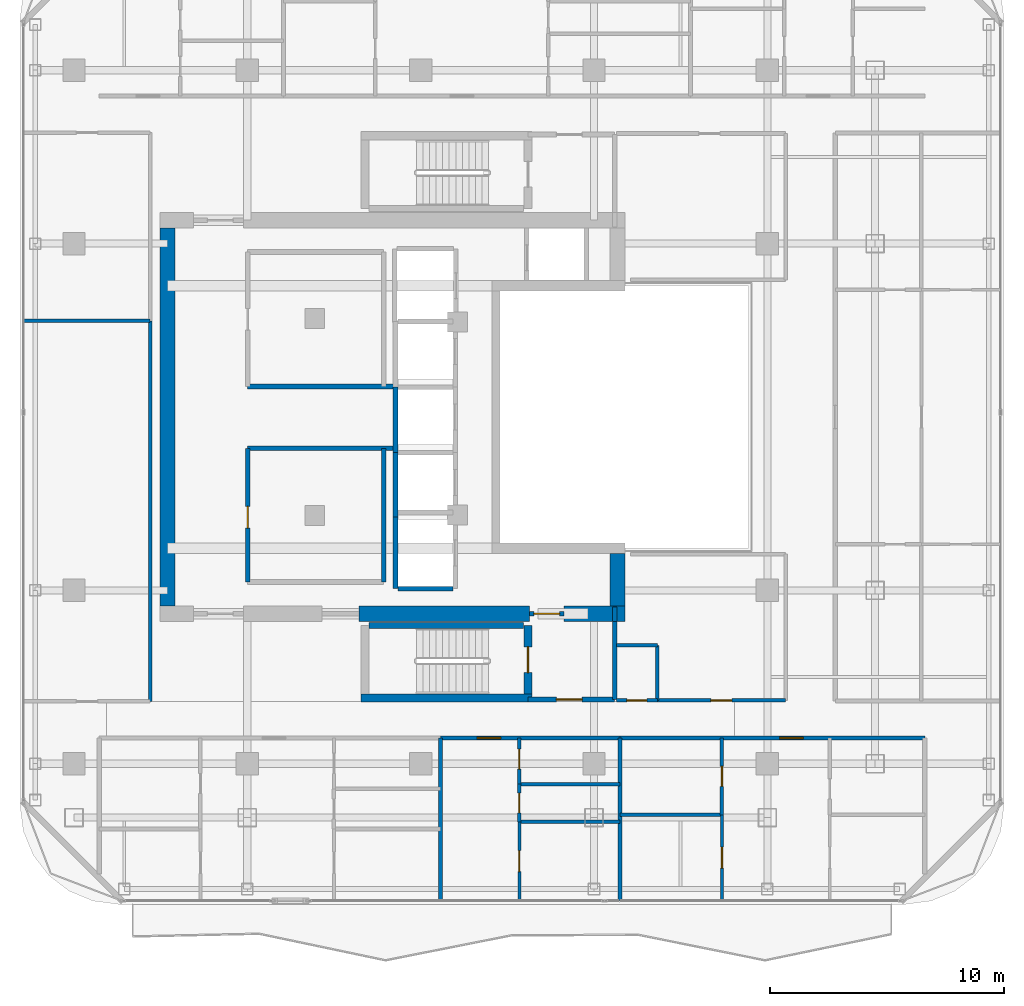
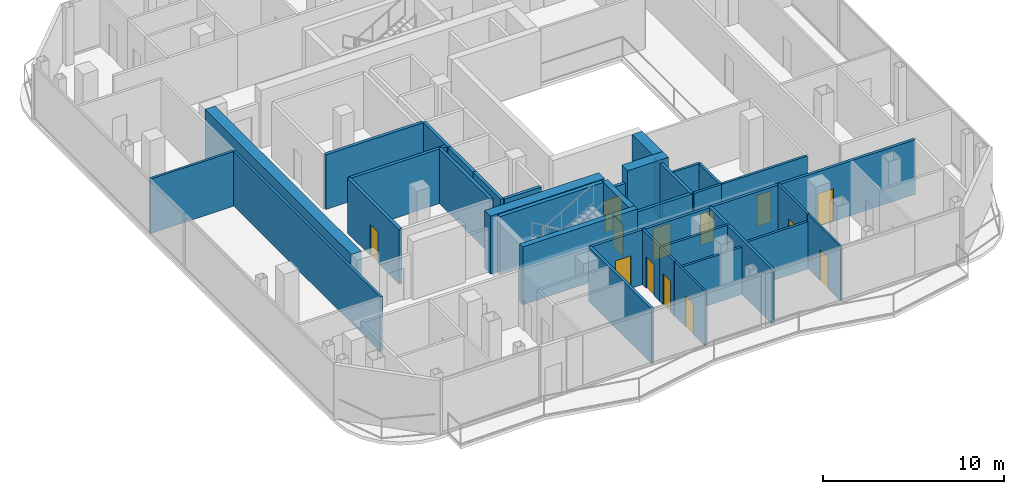
# One storey, part 17 of 23: 37 walls, 13 doors, 13 openings.
"""IFC4 building model written with IfcOpenShell, lengths in metres."""

from ifc_helpers import new_model, si_unit, direction, frame, frame_2d, origin, place, context, subcontext, project, spatial, rectangle, extrude, material, layer, layer_set, type_object, element, fill, save


model = new_model("IFC4")

# Units and contexts
model_context = context("Model", 3, precision=1e-05, world=origin(), true_north=direction((0.0, 1.0)))
body_context = subcontext(model_context, "Body", "Model", "MODEL_VIEW")
ifc_project = project(units=[si_unit("LENGTHUNIT", "METRE"), si_unit("AREAUNIT", "SQUARE_METRE"), si_unit("VOLUMEUNIT", "CUBIC_METRE"), si_unit("PLANEANGLEUNIT", "RADIAN"), si_unit("MASSUNIT", "GRAM", prefix="KILO")], contexts=[model_context])

# Site, building, storey
site_placement = place(None, origin())
site = spatial("IfcSite", under=ifc_project, at=site_placement, CompositionType="ELEMENT")
building_placement = place(site_placement, origin())
building = spatial("IfcBuilding", under=site, at=building_placement, Name="Khorvyn Point Tower", CompositionType="ELEMENT")
storey_placement = place(building_placement, frame((0.0, 0.0, 274.199951171875)))
storey = spatial("IfcBuildingStorey", under=building, at=storey_placement, Name="L67", CompositionType="ELEMENT", Elevation=274.199951171875)

# Wall, opening, door
ifc_material_1 = material(Name="Double acoustic gypsum on twin steel stud", Category="steel")
ifc_layer_1 = layer(ifc_material_1, 0.179931640625)
ifc_layer_set_1 = layer_set([ifc_layer_1], Name="Acoustic Double-Stud Apartment Demising Wall 180")
wall_type_1 = type_object("IfcWallType", Name="Acoustic Double-Stud Apartment Demising Wall 180", PredefinedType="PARTITIONING", material=ifc_layer_set_1)
wall_1_placement = place(storey_placement, frame((0.845947265625, -13.699951171875, 0.0), z_axis=(0.0, 0.0, 1.0), x_axis=(1.0, 0.0, 0.0)))
wall_1 = element("IfcWall", 1, at=wall_1_placement, inside=storey, type_object=wall_type_1, Name="Wall", PredefinedType="PARTITIONING", context=body_context, shape_type="SweptSolid", body=[
    extrude(rectangle(XDim=7.658935546875, YDim=0.179931640625, at=frame_2d((3.82958984375, 0.0))), origin(), (0.0, 0.0, 1.0), 3.679931640625),
])
opening_1_placement = place(wall_1_placement, frame((1.568603515625, 0.0, 0.0)))
opening_1 = element("IfcOpeningElement", 2, at=opening_1_placement, cuts=wall_1, Name="Opening ID-AP60", PredefinedType="OPENING", context=body_context, shape_type="SweptSolid", body=[
    extrude(rectangle(XDim=1.0, YDim=2.199951171875, at=frame_2d((0.5, 1.10009765625))), frame((0.0, 0.099853515625, 0.0), z_axis=(0.0, -1.0, 0.0), x_axis=(1.0, 0.0, 0.0)), (0.0, 0.0, 1.0), 0.199951171875),
])
ifc_material_2 = material(Name="Engineered hardwood fire-rated leaf", Category="wood")
door_type_1 = type_object("IfcDoorType", Name="Acoustic Solid-Core Timber Apartment Entrance Door 1000x2200", OperationType="NOTDEFINED", PredefinedType="DOOR", material=ifc_material_2)
door_1_placement = place(opening_1_placement, origin())
door_1 = element("IfcDoor", 3, at=door_1_placement, inside=storey, type_object=door_type_1, Name="Door", OperationType="SINGLE_SWING_RIGHT", OverallHeight=2.199951171875, OverallWidth=1.0, PredefinedType="DOOR", context=body_context, shape_type="SweptSolid", body=[
    extrude(rectangle(XDim=1.0, YDim=2.199951171875, at=frame_2d((0.5, 1.10009765625))), frame((0.0, 0.02490234375, 0.0), z_axis=(0.0, -1.0, 0.0), x_axis=(1.0, 0.0, 0.0)), (0.0, 0.0, 1.0), 0.050048828125),
])
fill(opening_1, door_1)

wall_2_placement = place(storey_placement, frame((8.5048828125, -13.699951171875, 0.0), z_axis=(0.0, 0.0, 1.0), x_axis=(1.0, 0.0, 0.0)))
wall_2 = element("IfcWall", 4, at=wall_2_placement, inside=storey, type_object=wall_type_1, Name="Wall", PredefinedType="PARTITIONING", context=body_context, shape_type="SweptSolid", body=[
    extrude(rectangle(XDim=13.01513671875, YDim=0.179931640625, at=frame_2d((6.507568359375, 0.0))), origin(), (0.0, 0.0, 1.0), 3.679931640625),
])
opening_2_placement = place(wall_2_placement, frame((6.817138671875, 0.0, 0.0)))
opening_2 = element("IfcOpeningElement", 5, at=opening_2_placement, cuts=wall_2, Name="Opening ID-AP60", PredefinedType="OPENING", context=body_context, shape_type="SweptSolid", body=[
    extrude(rectangle(XDim=1.0, YDim=2.199951171875, at=frame_2d((0.5, 1.10009765625))), frame((0.0, 0.099853515625, 0.0), z_axis=(0.0, -1.0, 0.0), x_axis=(1.0, 0.0, 0.0)), (0.0, 0.0, 1.0), 0.199951171875),
])
door_2_placement = place(opening_2_placement, origin())
door_2 = element("IfcDoor", 6, at=door_2_placement, inside=storey, type_object=door_type_1, Name="Door", OperationType="SINGLE_SWING_RIGHT", OverallHeight=2.199951171875, OverallWidth=1.0, PredefinedType="DOOR", context=body_context, shape_type="SweptSolid", body=[
    extrude(rectangle(XDim=1.0, YDim=2.199951171875, at=frame_2d((0.5, 1.10009765625))), frame((0.0, 0.02490234375, 0.0), z_axis=(0.0, -1.0, 0.0), x_axis=(1.0, 0.0, 0.0)), (0.0, 0.0, 1.0), 0.050048828125),
])
fill(opening_2, door_2)

# Walls
for number, where, z_axis, x_axis, name in (
    (7, (0.845947265625, -20.6298828125, 0.0), (0.0, 0.0, 1.0), (0.0, 1.0, 0.0), "Wall"),
    (8, (8.5048828125, -20.6298828125, 0.0), (0.0, 0.0, 1.0), (0.0, 1.0, 0.0), "Wall"),
):
    element("IfcWall", number, at=place(storey_placement, frame(where, z_axis=z_axis, x_axis=x_axis)), inside=storey, type_object=wall_type_1, Name=name, PredefinedType="PARTITIONING", context=body_context, shape_type="SweptSolid", body=[
        extrude(rectangle(XDim=6.929931640625, YDim=0.179931640625, at=frame_2d((3.46484375, 0.0))), origin(), (0.0, 0.0, 1.0), 3.679931640625),
    ])
ifc_material_3 = material(Name="Concrete C40/50", Category="concrete")
ifc_layer_2 = layer(ifc_material_3, 0.64990234375)
ifc_layer_set_2 = layer_set([ifc_layer_2], Name="Concrete C40/50 Core Shear Wall 650")
wall_type_2 = type_object("IfcWallType", Name="Concrete C40/50 Core Shear Wall 650", PredefinedType="SHEAR", material=ifc_layer_set_2)
wall_3_placement = place(storey_placement, frame((-2.6201171875, -8.39990234375, 0.0), z_axis=(0.0, 0.0, 1.0), x_axis=(1.0, 0.0, 0.0)))
element("IfcWall", 9, at=wall_3_placement, inside=storey, type_object=wall_type_2, Name="Wall", PredefinedType="SHEAR", context=body_context, shape_type="SweptSolid", body=[
    extrude(rectangle(XDim=7.27001953125, YDim=0.64990234375, at=frame_2d((3.635009765625, 0.0))), origin(), (0.0, 0.0, 1.0), 3.900146484375),
])
wall_4_placement = place(storey_placement, frame((6.1201171875, -8.39990234375, 0.0), z_axis=(0.0, 0.0, 1.0), x_axis=(1.0, 0.0, 0.0)))
element("IfcWall", 10, at=wall_4_placement, inside=storey, type_object=wall_type_2, Name="Wall", PredefinedType="SHEAR", context=body_context, shape_type="SweptSolid", body=[
    extrude(rectangle(XDim=2.60498046875, YDim=0.64990234375, at=frame_2d((1.302490234375, 0.0))), origin(), (0.0, 0.0, 1.0), 3.900146484375),
])
wall_5_placement = place(storey_placement, frame((-10.800048828125, -8.074951171875, 0.0), z_axis=(0.0, 0.0, 1.0), x_axis=(0.0, 1.0, 0.0)))
element("IfcWall", 11, at=wall_5_placement, inside=storey, type_object=wall_type_2, Name="Wall", PredefinedType="SHEAR", context=body_context, shape_type="SweptSolid", body=[
    extrude(rectangle(XDim=16.14990234375, YDim=0.64990234375, at=frame_2d((8.074951171875, 0.0))), origin(), (0.0, 0.0, 1.0), 3.900146484375),
])
wall_6_placement = place(storey_placement, frame((8.39990234375, -8.074951171875, 0.0), z_axis=(0.0, 0.0, 1.0), x_axis=(0.0, 1.0, 0.0)))
element("IfcWall", 12, at=wall_6_placement, inside=storey, type_object=wall_type_2, Name="Wall", PredefinedType="SHEAR", context=body_context, shape_type="SweptSolid", body=[
    extrude(rectangle(XDim=2.25, YDim=0.64990234375, at=frame_2d((1.125, 0.0))), origin(), (0.0, 0.0, 1.0), 3.900146484375),
])

# Wall, opening, door
ifc_layer_3 = layer(ifc_material_3, 0.199951171875)
ifc_layer_set_3 = layer_set([ifc_layer_3], Name="Concrete C40/50 Fire-Lobby Compartment Wall 200")
wall_type_3 = type_object("IfcWallType", Name="Concrete C40/50 Fire-Lobby Compartment Wall 200", PredefinedType="SOLIDWALL", material=ifc_layer_set_3)
wall_7_placement = place(storey_placement, frame((4.580078125, -12.06005859375, 0.0), z_axis=(0.0, 0.0, 1.0), x_axis=(1.0, 0.0, 0.0)))
wall_7 = element("IfcWall", 13, at=wall_7_placement, inside=storey, type_object=wall_type_3, Name="Wall", PredefinedType="SOLIDWALL", context=body_context, shape_type="SweptSolid", body=[
    extrude(rectangle(XDim=3.699951171875, YDim=0.199951171875, at=frame_2d((1.85009765625, 0.0))), origin(), (0.0, 0.0, 1.0), 3.679931640625),
])
opening_3_placement = place(wall_7_placement, frame((1.21240234375, 0.0, 0.0)))
opening_3 = element("IfcOpeningElement", 14, at=opening_3_placement, cuts=wall_7, Name="Opening ID-FL90", PredefinedType="OPENING", context=body_context, shape_type="SweptSolid", body=[
    extrude(rectangle(XDim=1.10009765625, YDim=2.14990234375, at=frame_2d((0.550048828125, 1.074951171875))), frame((0.0, 0.10986328125, 0.0), z_axis=(0.0, -1.0, 0.0), x_axis=(1.0, 0.0, 0.0)), (0.0, 0.0, 1.0), 0.219970703125),
])
ifc_material_4 = material(Name="Galvanised powder-coated steel", Category="steel")
door_type_2 = type_object("IfcDoorType", Name="Fire-Rated Steel Lobby and Stair Door 1100x2150", OperationType="NOTDEFINED", PredefinedType="DOOR", material=ifc_material_4)
door_3_placement = place(opening_3_placement, origin())
door_3 = element("IfcDoor", 15, at=door_3_placement, inside=storey, type_object=door_type_2, Name="Door", OperationType="SINGLE_SWING_LEFT", OverallHeight=2.14990234375, OverallWidth=1.10009765625, PredefinedType="DOOR", context=body_context, shape_type="SweptSolid", body=[
    extrude(rectangle(XDim=1.10009765625, YDim=2.14990234375, at=frame_2d((0.550048828125, 1.074951171875))), frame((0.0, 0.02490234375, 0.0), z_axis=(0.0, -1.0, 0.0), x_axis=(1.0, 0.0, 0.0)), (0.0, 0.0, 1.0), 0.050048828125),
])
fill(opening_3, door_3)

wall_8_placement = place(storey_placement, frame((4.64990234375, -8.39990234375, 0.0), z_axis=(0.0, 0.0, 1.0), x_axis=(1.0, 0.0, 0.0)))
wall_8 = element("IfcWall", 16, at=wall_8_placement, inside=storey, type_object=wall_type_3, Name="Wall", PredefinedType="SOLIDWALL", context=body_context, shape_type="SweptSolid", body=[
    extrude(rectangle(XDim=1.47021484375, YDim=0.199951171875, at=frame_2d((0.735107421875, 0.0))), origin(), (0.0, 0.0, 1.0), 2.920166015625),
])
opening_4_placement = place(wall_8_placement, frame((0.18505859375, 0.0, 0.0)))
opening_4 = element("IfcOpeningElement", 17, at=opening_4_placement, cuts=wall_8, Name="Opening ID-FL90", PredefinedType="OPENING", context=body_context, shape_type="SweptSolid", body=[
    extrude(rectangle(XDim=1.10009765625, YDim=2.14990234375, at=frame_2d((0.550048828125, 1.074951171875))), frame((0.0, 0.10986328125, 0.0), z_axis=(0.0, -1.0, 0.0), x_axis=(1.0, 0.0, 0.0)), (0.0, 0.0, 1.0), 0.219970703125),
])
door_4_placement = place(opening_4_placement, origin())
door_4 = element("IfcDoor", 18, at=door_4_placement, inside=storey, type_object=door_type_2, Name="Door", OperationType="SINGLE_SWING_RIGHT", OverallHeight=2.14990234375, OverallWidth=1.10009765625, PredefinedType="DOOR", context=body_context, shape_type="SweptSolid", body=[
    extrude(rectangle(XDim=1.10009765625, YDim=2.14990234375, at=frame_2d((0.550048828125, 1.074951171875))), frame((0.0, 0.02490234375, 0.0), z_axis=(0.0, -1.0, 0.0), x_axis=(1.0, 0.0, 0.0)), (0.0, 0.0, 1.0), 0.050048828125),
])
fill(opening_4, door_4)

wall_9_placement = place(storey_placement, frame((-7.3798828125, -7.0400390625, 0.0), z_axis=(0.0, 0.0, 1.0), x_axis=(0.0, 1.0, 0.0)))
wall_9 = element("IfcWall", 19, at=wall_9_placement, inside=storey, type_object=wall_type_3, Name="Wall", PredefinedType="SOLIDWALL", context=body_context, shape_type="SweptSolid", body=[
    extrude(rectangle(XDim=5.699951171875, YDim=0.199951171875, at=frame_2d((2.85009765625, 0.0))), origin(), (0.0, 0.0, 1.0), 3.679931640625),
])
opening_5_placement = place(wall_9_placement, frame((2.30078125, 0.0, 0.0)))
opening_5 = element("IfcOpeningElement", 20, at=opening_5_placement, cuts=wall_9, Name="Opening ID-RS60", PredefinedType="OPENING", context=body_context, shape_type="SweptSolid", body=[
    extrude(rectangle(XDim=0.919921875, YDim=2.10009765625, at=frame_2d((0.4599609375, 1.050048828125))), frame((0.0, 0.10986328125, 0.0), z_axis=(0.0, -1.0, 0.0), x_axis=(1.0, 0.0, 0.0)), (0.0, 0.0, 1.0), 0.219970703125),
])
door_type_3 = type_object("IfcDoorType", Name="Fire-Rated Riser and Store Steel Door 920x2100", OperationType="NOTDEFINED", PredefinedType="DOOR", material=ifc_material_4)
door_5_placement = place(opening_5_placement, origin())
door_5 = element("IfcDoor", 21, at=door_5_placement, inside=storey, type_object=door_type_3, Name="Door", OperationType="SINGLE_SWING_RIGHT", OverallHeight=2.10009765625, OverallWidth=0.919921875, PredefinedType="DOOR", context=body_context, shape_type="SweptSolid", body=[
    extrude(rectangle(XDim=0.919921875, YDim=2.10009765625, at=frame_2d((0.4599609375, 1.050048828125))), frame((0.0, 0.02490234375, 0.0), z_axis=(0.0, -1.0, 0.0), x_axis=(1.0, 0.0, 0.0)), (0.0, 0.0, 1.0), 0.050048828125),
])
fill(opening_5, door_5)

# Walls
wall_10_placement = place(storey_placement, frame((8.280029296875, -12.06005859375, 0.0), z_axis=(0.0, 0.0, 1.0), x_axis=(0.0, 1.0, 0.0)))
element("IfcWall", 22, at=wall_10_placement, inside=storey, type_object=wall_type_3, Name="Wall", PredefinedType="SOLIDWALL", context=body_context, shape_type="SweptSolid", body=[
    extrude(rectangle(XDim=3.3349609375, YDim=0.199951171875, at=frame_2d((1.66748046875, 0.0))), origin(), (0.0, 0.0, 1.0), 3.679931640625),
])
for number, where, z_axis, x_axis, name in (
    (23, (-7.3798828125, -1.340087890625, 0.0), (0.0, 0.0, 1.0), (1.0, 0.0, 0.0), "Wall"),
    (24, (-7.3798828125, 1.300048828125, 0.0), (0.0, 0.0, 1.0), (1.0, 0.0, 0.0), "Wall"),
):
    element("IfcWall", number, at=place(storey_placement, frame(where, z_axis=z_axis, x_axis=x_axis)), inside=storey, type_object=wall_type_3, Name=name, PredefinedType="SOLIDWALL", context=body_context, shape_type="SweptSolid", body=[
        extrude(rectangle(XDim=6.239990234375, YDim=0.199951171875, at=frame_2d((3.1201171875, 0.0))), origin(), (0.0, 0.0, 1.0), 3.679931640625),
    ])
wall_11_placement = place(storey_placement, frame((-1.580078125, -7.0400390625, 0.0), z_axis=(0.0, 0.0, 1.0), x_axis=(0.0, 1.0, 0.0)))
element("IfcWall", 25, at=wall_11_placement, inside=storey, type_object=wall_type_3, Name="Wall", PredefinedType="SOLIDWALL", context=body_context, shape_type="SweptSolid", body=[
    extrude(rectangle(XDim=5.699951171875, YDim=0.199951171875, at=frame_2d((2.85009765625, 0.0))), origin(), (0.0, 0.0, 1.0), 3.679931640625),
])
wall_12_placement = place(storey_placement, frame((8.280029296875, -8.72509765625, 0.0), z_axis=(0.0, 0.0, 1.0), x_axis=(0.0, 1.0, 0.0)))
element("IfcWall", 26, at=wall_12_placement, inside=storey, type_object=wall_type_3, Name="Wall", PredefinedType="SOLIDWALL", context=body_context, shape_type="SweptSolid", body=[
    extrude(rectangle(XDim=0.625, YDim=0.199951171875, at=frame_2d((0.3125, 0.0))), origin(), (0.0, 0.0, 1.0), 3.679931640625),
])
ifc_layer_4 = layer(ifc_material_3, 0.25)
ifc_layer_set_4 = layer_set([ifc_layer_4], Name="Concrete C40/50 Stair Inner Cheek Structural Wall 250")
wall_type_4 = type_object("IfcWallType", Name="Concrete C40/50 Stair Inner Cheek Structural Wall 250", PredefinedType="SHEAR", material=ifc_layer_set_4)
wall_13_placement = place(storey_placement, frame((-2.199951171875, -8.89990234375, 0.0), z_axis=(0.0, 0.0, 1.0), x_axis=(1.0, 0.0, 0.0)))
element("IfcWall", 27, at=wall_13_placement, inside=storey, type_object=wall_type_4, Name="Wall", PredefinedType="SHEAR", context=body_context, shape_type="SweptSolid", body=[
    extrude(rectangle(XDim=6.599853515625, YDim=0.25, at=frame_2d((3.2998046875, 0.0))), origin(), (0.0, 0.0, 1.0), 3.900146484375),
])
ifc_layer_5 = layer(ifc_material_3, 0.35009765625)
ifc_layer_set_5 = layer_set([ifc_layer_5], Name="Concrete C40/50 Stair Shaft Structural Wall 350")
wall_type_5 = type_object("IfcWallType", Name="Concrete C40/50 Stair Shaft Structural Wall 350", PredefinedType="SHEAR", material=ifc_layer_set_5)
wall_14_placement = place(storey_placement, frame((-2.554931640625, -12.0, 0.0), z_axis=(0.0, 0.0, 1.0), x_axis=(1.0, 0.0, 0.0)))
element("IfcWall", 28, at=wall_14_placement, inside=storey, type_object=wall_type_5, Name="L67 ST-01 South Shaft Wall", PredefinedType="SHEAR", context=body_context, shape_type="SweptSolid", body=[
    extrude(rectangle(XDim=7.309814453125, YDim=0.35009765625, at=frame_2d((3.65478515625, 0.0))), origin(), (0.0, 0.0, 1.0), 3.900146484375),
])

# Wall, opening, door
wall_15_placement = place(storey_placement, frame((4.580078125, -8.89990234375, 0.0), z_axis=(0.0, 0.0, 1.0), x_axis=(0.0, -1.0, 0.0)))
wall_15 = element("IfcWall", 29, at=wall_15_placement, inside=storey, type_object=wall_type_5, Name="L67 ST-01 East Landing Door Wall", PredefinedType="SHEAR", context=body_context, shape_type="SweptSolid", body=[
    extrude(rectangle(XDim=2.925048828125, YDim=0.35009765625, at=frame_2d((1.46240234375, 0.0))), origin(), (0.0, 0.0, 1.0), 3.900146484375),
])
opening_6_placement = place(wall_15_placement, frame((0.91259765625, 0.0, 0.0)))
opening_6 = element("IfcOpeningElement", 30, at=opening_6_placement, cuts=wall_15, Name="Opening ID-FL90", PredefinedType="OPENING", context=body_context, shape_type="SweptSolid", body=[
    extrude(rectangle(XDim=1.10009765625, YDim=2.14990234375, at=frame_2d((0.550048828125, 1.074951171875))), frame((0.0, 0.18505859375, 0.0), z_axis=(0.0, -1.0, 0.0), x_axis=(1.0, 0.0, 0.0)), (0.0, 0.0, 1.0), 0.3701171875),
])
door_6_placement = place(opening_6_placement, origin())
door_6 = element("IfcDoor", 31, at=door_6_placement, inside=storey, type_object=door_type_2, Name="L67 ST-01 Smokeproof Landing Door", OperationType="SINGLE_SWING_LEFT", OverallHeight=2.14990234375, OverallWidth=1.10009765625, PredefinedType="DOOR", context=body_context, shape_type="SweptSolid", body=[
    extrude(rectangle(XDim=1.10009765625, YDim=2.14990234375, at=frame_2d((0.550048828125, 1.074951171875))), frame((0.0, 0.02490234375, 0.0), z_axis=(0.0, -1.0, 0.0), x_axis=(1.0, 0.0, 0.0)), (0.0, 0.0, 1.0), 0.050048828125),
])
fill(opening_6, door_6)

# Walls
ifc_layer_6 = layer(ifc_material_3, 0.199951171875)
ifc_layer_set_6 = layer_set([ifc_layer_6], Name="Concrete C40/50 Structural Hoistway and Stair Shaft Wall 200")
wall_type_6 = type_object("IfcWallType", Name="Concrete C40/50 Structural Hoistway and Stair Shaft Wall 200", PredefinedType="SHEAR", material=ifc_layer_set_6)
wall_16_placement = place(storey_placement, frame((-1.074951171875, -4.27490234375, 0.0), z_axis=(0.0, 0.0, 1.0), x_axis=(0.0, 1.0, 0.0)))
element("IfcWall", 32, at=wall_16_placement, inside=storey, type_object=wall_type_6, Name="Wall", PredefinedType="SHEAR", context=body_context, shape_type="SweptSolid", body=[
    extrude(rectangle(XDim=2.75, YDim=0.199951171875, at=frame_2d((1.375, 0.0))), origin(), (0.0, 0.0, 1.0), 3.679931640625),
])
wall_17_placement = place(storey_placement, frame((-1.074951171875, -1.52490234375, 0.0), z_axis=(0.0, 0.0, 1.0), x_axis=(0.0, 1.0, 0.0)))
element("IfcWall", 33, at=wall_17_placement, inside=storey, type_object=wall_type_6, Name="Wall", PredefinedType="SHEAR", context=body_context, shape_type="SweptSolid", body=[
    extrude(rectangle(XDim=2.7998046875, YDim=0.199951171875, at=frame_2d((1.39990234375, 0.0))), origin(), (0.0, 0.0, 1.0), 3.679931640625),
])
wall_18_placement = place(storey_placement, frame((-1.074951171875, -7.324951171875, 0.0), z_axis=(0.0, 0.0, 1.0), x_axis=(0.0, 1.0, 0.0)))
element("IfcWall", 34, at=wall_18_placement, inside=storey, type_object=wall_type_6, Name="Wall", PredefinedType="SHEAR", context=body_context, shape_type="SweptSolid", body=[
    extrude(rectangle(XDim=3.050048828125, YDim=0.199951171875, at=frame_2d((1.52490234375, 0.0))), origin(), (0.0, 0.0, 1.0), 3.679931640625),
])
wall_19_placement = place(storey_placement, frame((-0.97509765625, -7.324951171875, 0.0), z_axis=(0.0, 0.0, 1.0), x_axis=(1.0, 0.0, 0.0)))
element("IfcWall", 35, at=wall_19_placement, inside=storey, type_object=wall_type_6, Name="Wall", PredefinedType="SHEAR", context=body_context, shape_type="SweptSolid", body=[
    extrude(rectangle(XDim=2.35009765625, YDim=0.199951171875, at=frame_2d((1.175048828125, 0.0))), origin(), (0.0, 0.0, 1.0), 3.679931640625),
])

# Wall, opening, door
ifc_material_5 = material(Name="Gypsum plasterboard on steel stud", Category="steel")
ifc_layer_7 = layer(ifc_material_5, 0.1201171875)
ifc_layer_set_7 = layer_set([ifc_layer_7], Name="Gypsum Acoustic Stud Room Partition Wall 120")
wall_type_7 = type_object("IfcWallType", Name="Gypsum Acoustic Stud Room Partition Wall 120", PredefinedType="PARTITIONING", material=ifc_layer_set_7)
wall_20_placement = place(storey_placement, frame((4.216064453125, -20.6298828125, 0.0), z_axis=(0.0, 0.0, 1.0), x_axis=(0.0, 1.0, 0.0)))
wall_20 = element("IfcWall", 36, at=wall_20_placement, inside=storey, type_object=wall_type_7, Name="Wall", PredefinedType="PARTITIONING", context=body_context, shape_type="SweptSolid", body=[
    extrude(rectangle(XDim=3.348876953125, YDim=0.1201171875, at=frame_2d((1.67431640625, 0.0))), origin(), (0.0, 0.0, 1.0), 3.679931640625),
])
opening_7_placement = place(wall_20_placement, frame((1.224609375, 0.0, 0.0)))
opening_7 = element("IfcOpeningElement", 37, at=opening_7_placement, cuts=wall_20, Name="Opening ID-RM90", PredefinedType="OPENING", context=body_context, shape_type="SweptSolid", body=[
    extrude(rectangle(XDim=0.89990234375, YDim=2.10009765625, at=frame_2d((0.449951171875, 1.050048828125))), frame((0.0, 0.070068359375, 0.0), z_axis=(0.0, -1.0, 0.0), x_axis=(1.0, 0.0, 0.0)), (0.0, 0.0, 1.0), 0.14013671875),
])
ifc_material_6 = material(Name="Engineered oak veneer timber", Category="wood")
door_type_4 = type_object("IfcDoorType", Name="Flush Engineered Timber Room Door 900x2100", OperationType="NOTDEFINED", PredefinedType="DOOR", material=ifc_material_6)
door_7_placement = place(opening_7_placement, origin())
door_7 = element("IfcDoor", 38, at=door_7_placement, inside=storey, type_object=door_type_4, Name="Door", OperationType="SINGLE_SWING_LEFT", OverallHeight=2.10009765625, OverallWidth=0.89990234375, PredefinedType="DOOR", context=body_context, shape_type="SweptSolid", body=[
    extrude(rectangle(XDim=0.89990234375, YDim=2.10009765625, at=frame_2d((0.449951171875, 1.050048828125))), frame((0.0, 0.02490234375, 0.0), z_axis=(0.0, -1.0, 0.0), x_axis=(1.0, 0.0, 0.0)), (0.0, 0.0, 1.0), 0.050048828125),
])
fill(opening_7, door_7)

wall_21_placement = place(storey_placement, frame((12.860107421875, -20.6298828125, 0.0), z_axis=(0.0, 0.0, 1.0), x_axis=(0.0, 1.0, 0.0)))
wall_21 = element("IfcWall", 39, at=wall_21_placement, inside=storey, type_object=wall_type_7, Name="Wall", PredefinedType="PARTITIONING", context=body_context, shape_type="SweptSolid", body=[
    extrude(rectangle(XDim=3.64697265625, YDim=0.1201171875, at=frame_2d((1.823486328125, 0.0))), origin(), (0.0, 0.0, 1.0), 3.679931640625),
])
opening_8_placement = place(wall_21_placement, frame((1.37353515625, 0.0, 0.0)))
opening_8 = element("IfcOpeningElement", 40, at=opening_8_placement, cuts=wall_21, Name="Opening ID-RM90", PredefinedType="OPENING", context=body_context, shape_type="SweptSolid", body=[
    extrude(rectangle(XDim=0.89990234375, YDim=2.10009765625, at=frame_2d((0.449951171875, 1.050048828125))), frame((0.0, 0.070068359375, 0.0), z_axis=(0.0, -1.0, 0.0), x_axis=(1.0, 0.0, 0.0)), (0.0, 0.0, 1.0), 0.14013671875),
])
door_8_placement = place(opening_8_placement, origin())
door_8 = element("IfcDoor", 41, at=door_8_placement, inside=storey, type_object=door_type_4, Name="Door", OperationType="SINGLE_SWING_RIGHT", OverallHeight=2.10009765625, OverallWidth=0.89990234375, PredefinedType="DOOR", context=body_context, shape_type="SweptSolid", body=[
    extrude(rectangle(XDim=0.89990234375, YDim=2.10009765625, at=frame_2d((0.449951171875, 1.050048828125))), frame((0.0, 0.02490234375, 0.0), z_axis=(0.0, -1.0, 0.0), x_axis=(1.0, 0.0, 0.0)), (0.0, 0.0, 1.0), 0.050048828125),
])
fill(opening_8, door_8)

ifc_material_7 = material(Name="Moisture-resistant gypsum and cement board", Category="gypsum")
ifc_layer_8 = layer(ifc_material_7, 0.14990234375)
ifc_layer_set_8 = layer_set([ifc_layer_8], Name="Moisture-Resistant Wet-Room Partition Wall 150")
wall_type_8 = type_object("IfcWallType", Name="Moisture-Resistant Wet-Room Partition Wall 150", PredefinedType="PARTITIONING", material=ifc_layer_set_8)
wall_22_placement = place(storey_placement, frame((8.360107421875, -12.10009765625, 0.0), z_axis=(0.0, 0.0, 1.0), x_axis=(1.0, 0.0, 0.0)))
wall_22 = element("IfcWall", 42, at=wall_22_placement, inside=storey, type_object=wall_type_8, Name="Wall", PredefinedType="PARTITIONING", context=body_context, shape_type="SweptSolid", body=[
    extrude(rectangle(XDim=1.739990234375, YDim=0.14990234375, at=frame_2d((0.8701171875, 0.0))), origin(), (0.0, 0.0, 1.0), 3.679931640625),
])
opening_9_placement = place(wall_22_placement, frame((0.445068359375, 0.0, 0.0)))
opening_9 = element("IfcOpeningElement", 43, at=opening_9_placement, cuts=wall_22, Name="Opening ID-WC85", PredefinedType="OPENING", context=body_context, shape_type="SweptSolid", body=[
    extrude(rectangle(XDim=0.85009765625, YDim=2.10009765625, at=frame_2d((0.425048828125, 1.050048828125))), frame((0.0, 0.0849609375, 0.0), z_axis=(0.0, -1.0, 0.0), x_axis=(1.0, 0.0, 0.0)), (0.0, 0.0, 1.0), 0.169921875),
])
ifc_material_8 = material(Name="High-pressure laminate on moisture-resistant core", Category="wood")
door_type_5 = type_object("IfcDoorType", Name="Moisture-Resistant Accessible Washroom Door 850x2100", OperationType="NOTDEFINED", PredefinedType="DOOR", material=ifc_material_8)
door_9_placement = place(opening_9_placement, origin())
door_9 = element("IfcDoor", 44, at=door_9_placement, inside=storey, type_object=door_type_5, Name="Door", OperationType="SINGLE_SWING_RIGHT", OverallHeight=2.10009765625, OverallWidth=0.85009765625, PredefinedType="DOOR", context=body_context, shape_type="SweptSolid", body=[
    extrude(rectangle(XDim=0.85009765625, YDim=2.10009765625, at=frame_2d((0.425048828125, 1.050048828125))), frame((0.0, 0.02490234375, 0.0), z_axis=(0.0, -1.0, 0.0), x_axis=(1.0, 0.0, 0.0)), (0.0, 0.0, 1.0), 0.050048828125),
])
fill(opening_9, door_9)

wall_23_placement = place(storey_placement, frame((10.10009765625, -12.10009765625, 0.0), z_axis=(0.0, 0.0, 1.0), x_axis=(1.0, 0.0, 0.0)))
wall_23 = element("IfcWall", 45, at=wall_23_placement, inside=storey, type_object=wall_type_8, Name="Wall", PredefinedType="PARTITIONING", context=body_context, shape_type="SweptSolid", body=[
    extrude(rectangle(XDim=5.47998046875, YDim=0.14990234375, at=frame_2d((2.739990234375, 0.0))), origin(), (0.0, 0.0, 1.0), 3.679931640625),
])
opening_10_placement = place(wall_23_placement, frame((2.2900390625, 0.0, 0.0)))
opening_10 = element("IfcOpeningElement", 46, at=opening_10_placement, cuts=wall_23, Name="Opening ID-RM90", PredefinedType="OPENING", context=body_context, shape_type="SweptSolid", body=[
    extrude(rectangle(XDim=0.89990234375, YDim=2.10009765625, at=frame_2d((0.449951171875, 1.050048828125))), frame((0.0, 0.0849609375, 0.0), z_axis=(0.0, -1.0, 0.0), x_axis=(1.0, 0.0, 0.0)), (0.0, 0.0, 1.0), 0.169921875),
])
door_10_placement = place(opening_10_placement, origin())
door_10 = element("IfcDoor", 47, at=door_10_placement, inside=storey, type_object=door_type_4, Name="Door", OperationType="SINGLE_SWING_LEFT", OverallHeight=2.10009765625, OverallWidth=0.89990234375, PredefinedType="DOOR", context=body_context, shape_type="SweptSolid", body=[
    extrude(rectangle(XDim=0.89990234375, YDim=2.10009765625, at=frame_2d((0.449951171875, 1.050048828125))), frame((0.0, 0.02490234375, 0.0), z_axis=(0.0, -1.0, 0.0), x_axis=(1.0, 0.0, 0.0)), (0.0, 0.0, 1.0), 0.050048828125),
])
fill(opening_10, door_10)

wall_24_placement = place(storey_placement, frame((4.216064453125, -15.669921875, 0.0), z_axis=(0.0, 0.0, 1.0), x_axis=(0.0, 1.0, 0.0)))
wall_24 = element("IfcWall", 48, at=wall_24_placement, inside=storey, type_object=wall_type_8, Name="Wall", PredefinedType="PARTITIONING", context=body_context, shape_type="SweptSolid", body=[
    extrude(rectangle(XDim=1.969970703125, YDim=0.14990234375, at=frame_2d((0.98486328125, 0.0))), origin(), (0.0, 0.0, 1.0), 3.679931640625),
])
opening_11_placement = place(wall_24_placement, frame((0.639892578125, 0.0, 0.0)))
opening_11 = element("IfcOpeningElement", 49, at=opening_11_placement, cuts=wall_24, Name="Opening ID-WC85", PredefinedType="OPENING", context=body_context, shape_type="SweptSolid", body=[
    extrude(rectangle(XDim=0.85009765625, YDim=2.10009765625, at=frame_2d((0.425048828125, 1.050048828125))), frame((0.0, 0.0849609375, 0.0), z_axis=(0.0, -1.0, 0.0), x_axis=(1.0, 0.0, 0.0)), (0.0, 0.0, 1.0), 0.169921875),
])
door_11_placement = place(opening_11_placement, origin())
door_11 = element("IfcDoor", 50, at=door_11_placement, inside=storey, type_object=door_type_5, Name="Door", OperationType="SINGLE_SWING_LEFT", OverallHeight=2.10009765625, OverallWidth=0.85009765625, PredefinedType="DOOR", context=body_context, shape_type="SweptSolid", body=[
    extrude(rectangle(XDim=0.85009765625, YDim=2.10009765625, at=frame_2d((0.425048828125, 1.050048828125))), frame((0.0, 0.02490234375, 0.0), z_axis=(0.0, -1.0, 0.0), x_axis=(1.0, 0.0, 0.0)), (0.0, 0.0, 1.0), 0.050048828125),
])
fill(opening_11, door_11)

wall_25_placement = place(storey_placement, frame((4.216064453125, -17.281005859375, 0.0), z_axis=(0.0, 0.0, 1.0), x_axis=(0.0, 1.0, 0.0)))
wall_25 = element("IfcWall", 51, at=wall_25_placement, inside=storey, type_object=wall_type_8, Name="Wall", PredefinedType="PARTITIONING", context=body_context, shape_type="SweptSolid", body=[
    extrude(rectangle(XDim=1.611083984375, YDim=0.14990234375, at=frame_2d((0.8056640625, 0.0))), origin(), (0.0, 0.0, 1.0), 3.679931640625),
])
opening_12_placement = place(wall_25_placement, frame((0.380615234375, 0.0, 0.0)))
opening_12 = element("IfcOpeningElement", 52, at=opening_12_placement, cuts=wall_25, Name="Opening ID-WC85", PredefinedType="OPENING", context=body_context, shape_type="SweptSolid", body=[
    extrude(rectangle(XDim=0.85009765625, YDim=2.10009765625, at=frame_2d((0.425048828125, 1.050048828125))), frame((0.0, 0.0849609375, 0.0), z_axis=(0.0, -1.0, 0.0), x_axis=(1.0, 0.0, 0.0)), (0.0, 0.0, 1.0), 0.169921875),
])
door_12_placement = place(opening_12_placement, origin())
door_12 = element("IfcDoor", 53, at=door_12_placement, inside=storey, type_object=door_type_5, Name="Door", OperationType="SINGLE_SWING_RIGHT", OverallHeight=2.10009765625, OverallWidth=0.85009765625, PredefinedType="DOOR", context=body_context, shape_type="SweptSolid", body=[
    extrude(rectangle(XDim=0.85009765625, YDim=2.10009765625, at=frame_2d((0.425048828125, 1.050048828125))), frame((0.0, 0.02490234375, 0.0), z_axis=(0.0, -1.0, 0.0), x_axis=(1.0, 0.0, 0.0)), (0.0, 0.0, 1.0), 0.050048828125),
])
fill(opening_12, door_12)

wall_26_placement = place(storey_placement, frame((12.860107421875, -16.98291015625, 0.0), z_axis=(0.0, 0.0, 1.0), x_axis=(0.0, 1.0, 0.0)))
wall_26 = element("IfcWall", 54, at=wall_26_placement, inside=storey, type_object=wall_type_8, Name="Wall", PredefinedType="PARTITIONING", context=body_context, shape_type="SweptSolid", body=[
    extrude(rectangle(XDim=3.282958984375, YDim=0.14990234375, at=frame_2d((1.6416015625, 0.0))), origin(), (0.0, 0.0, 1.0), 3.679931640625),
])
opening_13_placement = place(wall_26_placement, frame((1.216552734375, 0.0, 0.0)))
opening_13 = element("IfcOpeningElement", 55, at=opening_13_placement, cuts=wall_26, Name="Opening ID-WC85", PredefinedType="OPENING", context=body_context, shape_type="SweptSolid", body=[
    extrude(rectangle(XDim=0.85009765625, YDim=2.10009765625, at=frame_2d((0.425048828125, 1.050048828125))), frame((0.0, 0.0849609375, 0.0), z_axis=(0.0, -1.0, 0.0), x_axis=(1.0, 0.0, 0.0)), (0.0, 0.0, 1.0), 0.169921875),
])
door_13_placement = place(opening_13_placement, origin())
door_13 = element("IfcDoor", 56, at=door_13_placement, inside=storey, type_object=door_type_5, Name="Door", OperationType="SINGLE_SWING_LEFT", OverallHeight=2.10009765625, OverallWidth=0.85009765625, PredefinedType="DOOR", context=body_context, shape_type="SweptSolid", body=[
    extrude(rectangle(XDim=0.85009765625, YDim=2.10009765625, at=frame_2d((0.425048828125, 1.050048828125))), frame((0.0, 0.02490234375, 0.0), z_axis=(0.0, -1.0, 0.0), x_axis=(1.0, 0.0, 0.0)), (0.0, 0.0, 1.0), 0.050048828125),
])
fill(opening_13, door_13)

# Walls
wall_27_placement = place(storey_placement, frame((8.360107421875, -9.75, 0.0), z_axis=(0.0, 0.0, 1.0), x_axis=(1.0, 0.0, 0.0)))
element("IfcWall", 57, at=wall_27_placement, inside=storey, type_object=wall_type_8, Name="Wall", PredefinedType="PARTITIONING", context=body_context, shape_type="SweptSolid", body=[
    extrude(rectangle(XDim=1.739990234375, YDim=0.14990234375, at=frame_2d((0.8701171875, 0.0))), origin(), (0.0, 0.0, 1.0), 3.679931640625),
])
wall_28_placement = place(storey_placement, frame((10.10009765625, -12.10009765625, 0.0), z_axis=(0.0, 0.0, 1.0), x_axis=(0.0, 1.0, 0.0)))
element("IfcWall", 58, at=wall_28_placement, inside=storey, type_object=wall_type_8, Name="Wall", PredefinedType="PARTITIONING", context=body_context, shape_type="SweptSolid", body=[
    extrude(rectangle(XDim=2.35009765625, YDim=0.14990234375, at=frame_2d((1.175048828125, 0.0))), origin(), (0.0, 0.0, 1.0), 3.679931640625),
])
wall_29_placement = place(storey_placement, frame((4.216064453125, -15.669921875, 0.0), z_axis=(0.0, 0.0, 1.0), x_axis=(1.0, 0.0, 0.0)))
element("IfcWall", 59, at=wall_29_placement, inside=storey, type_object=wall_type_8, Name="Wall", PredefinedType="PARTITIONING", context=body_context, shape_type="SweptSolid", body=[
    extrude(rectangle(XDim=4.288818359375, YDim=0.14990234375, at=frame_2d((2.14453125, 0.0))), origin(), (0.0, 0.0, 1.0), 3.679931640625),
])
wall_30_placement = place(storey_placement, frame((4.216064453125, -17.281005859375, 0.0), z_axis=(0.0, 0.0, 1.0), x_axis=(1.0, 0.0, 0.0)))
element("IfcWall", 60, at=wall_30_placement, inside=storey, type_object=wall_type_8, Name="Wall", PredefinedType="PARTITIONING", context=body_context, shape_type="SweptSolid", body=[
    extrude(rectangle(XDim=4.288818359375, YDim=0.14990234375, at=frame_2d((2.14453125, 0.0))), origin(), (0.0, 0.0, 1.0), 3.18212890625),
])
wall_31_placement = place(storey_placement, frame((8.5048828125, -16.98291015625, 0.0), z_axis=(0.0, 0.0, 1.0), x_axis=(1.0, 0.0, 0.0)))
element("IfcWall", 61, at=wall_31_placement, inside=storey, type_object=wall_type_8, Name="Wall", PredefinedType="PARTITIONING", context=body_context, shape_type="SweptSolid", body=[
    extrude(rectangle(XDim=4.355224609375, YDim=0.14990234375, at=frame_2d((2.177734375, 0.0))), origin(), (0.0, 0.0, 1.0), 3.18212890625),
])
wall_32_placement = place(storey_placement, frame((-16.929931640625, 4.10009765625, 0.0), z_axis=(0.0, 0.0, 1.0), x_axis=(1.0, 0.0, 0.0)))
element("IfcWall", 62, at=wall_32_placement, inside=storey, type_object=wall_type_8, Name="Wall", PredefinedType="PARTITIONING", context=body_context, shape_type="SweptSolid", body=[
    extrude(rectangle(XDim=5.3798828125, YDim=0.14990234375, at=frame_2d((2.68994140625, 0.0))), origin(), (0.0, 0.0, 1.0), 3.679931640625),
])
wall_33_placement = place(storey_placement, frame((-11.550048828125, -12.139892578125, 0.0), z_axis=(0.0, 0.0, 1.0), x_axis=(0.0, 1.0, 0.0)))
element("IfcWall", 63, at=wall_33_placement, inside=storey, type_object=wall_type_8, Name="Wall", PredefinedType="PARTITIONING", context=body_context, shape_type="SweptSolid", body=[
    extrude(rectangle(XDim=16.239990234375, YDim=0.14990234375, at=frame_2d((8.1201171875, 0.0))), origin(), (0.0, 0.0, 1.0), 3.679931640625),
])

save(model, "model.ifc")
